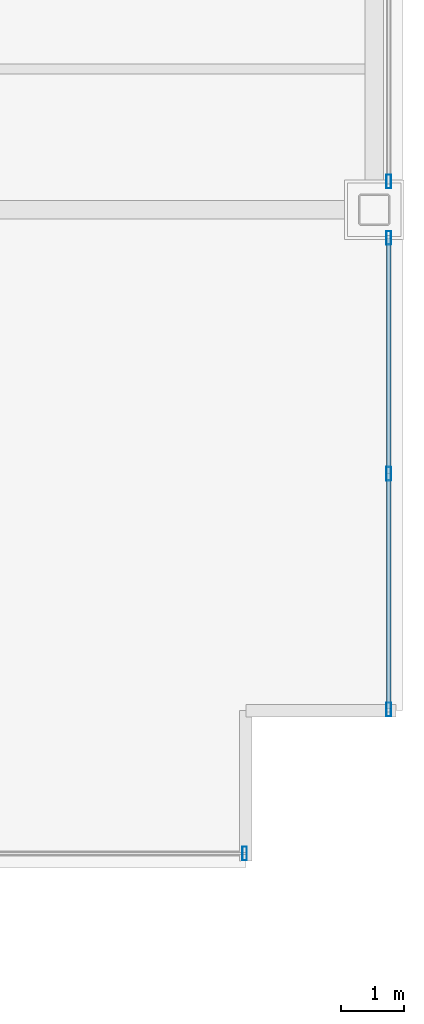
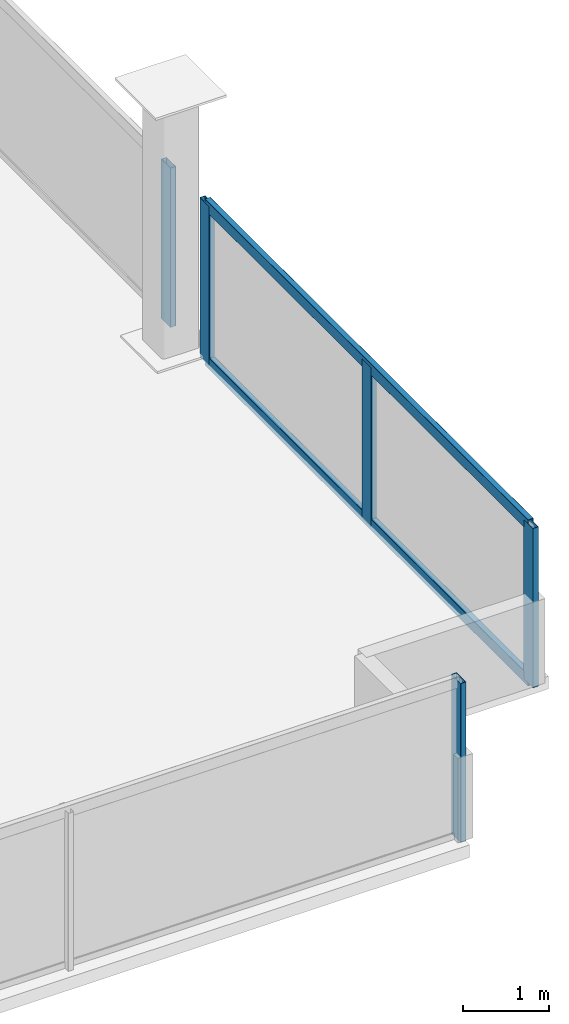
# One storey, part 11 of 21: 7 members, 3 elements without a shape of their own.
"""IFC4 building model written with IfcOpenShell, lengths in metres."""

from ifc_helpers import new_model, si_unit, direction, frame, origin, origin_2d, place, context, subcontext, project, spatial, hollow_rectangle, extrude, material, material_profile, profile_set, type_object, element, aggregate, save


model = new_model("IFC4")

# Units and contexts
model_context = context("Model", 3, precision=1e-05, world=origin(), true_north=direction((0.0, 1.0)))
body_context = subcontext(model_context, "Body", "Model", "MODEL_VIEW")
ifc_project = project(units=[si_unit("LENGTHUNIT", "METRE"), si_unit("AREAUNIT", "SQUARE_METRE"), si_unit("VOLUMEUNIT", "CUBIC_METRE"), si_unit("PLANEANGLEUNIT", "RADIAN"), si_unit("MASSUNIT", "GRAM", prefix="KILO")], contexts=[model_context])

# Site, building, storey
site_placement = place(None, origin())
site = spatial("IfcSite", under=ifc_project, at=site_placement, CompositionType="ELEMENT")
building_placement = place(site_placement, origin())
building = spatial("IfcBuilding", under=site, at=building_placement, Name="Noeulbin Bourse Tower", CompositionType="ELEMENT")
storey_placement = place(building_placement, frame((0.0, 0.0, 111.0)))
storey = spatial("IfcBuildingStorey", under=building, at=storey_placement, Name="L27", CompositionType="ELEMENT", Elevation=111.0)

# Curtain wall, member
ifc_material_1 = material(Name="Dark Tinted Triple Glazing", Category="glass")
curtain_wall_type = type_object("IfcCurtainWallType", Name="CW-SYS-3", PredefinedType="NOTDEFINED", material=ifc_material_1)
curtain_wall_1_placement = place(storey_placement, origin())
curtain_wall_1 = element("IfcCurtainWall", 1, at=curtain_wall_1_placement, inside=storey, type_object=curtain_wall_type, Name="Unitised Curtain Wall CW-L27-S3-S4", PredefinedType="NOTDEFINED")
ifc_material_2 = material(Name="Anodised Aluminium 6063-T6", Category="aluminium")
ifc_material_profile_1 = material_profile(ifc_material_2, hollow_rectangle(XDim=0.074951171875, YDim=0.219970703125, WallThickness=0.0048828125, InnerFilletRadius=0.00244140625, OuterFilletRadius=0.0048828125, at=origin_2d()), Name="ALU-MULL-75x220x5", Category="LoadBearing")
ifc_profile_set_1 = profile_set([ifc_material_profile_1], Name="Anodised Aluminium 6063-T6")
member_type_1 = type_object("IfcMemberType", Name="CW-SYS-3-MUL", PredefinedType="MULLION", material=ifc_profile_set_1)
member_1_placement = place(storey_placement, frame((54.97998046875, 9.719970703125, -0.02001953125), z_axis=(0.0, 0.0, 1.0), x_axis=(1.0, 0.0, 0.0)))
member_1 = element("IfcMember", 2, at=member_1_placement, type_object=member_type_1, Name="Curtain Wall Mullion CW-L27-S3-S4-M02", PredefinedType="MULLION", context=body_context, shape_type="SweptSolid", body=[
    extrude(hollow_rectangle(XDim=0.074951171875, YDim=0.219970703125, WallThickness=0.0048828125, InnerFilletRadius=0.00244140625, OuterFilletRadius=0.0048828125, at=origin_2d()), origin(), (0.0, 0.0, 1.0), 2.260009765625),
])
aggregate(curtain_wall_1, [member_1])

# Curtain wall, members
curtain_wall_2_placement = place(storey_placement, origin())
curtain_wall_2 = element("IfcCurtainWall", 3, at=curtain_wall_2_placement, inside=storey, type_object=curtain_wall_type, Name="Unitised Curtain Wall CW-L27-E-S1", PredefinedType="NOTDEFINED")
member_2_placement = place(storey_placement, frame((57.280029296875, 12.02001953125, -0.02001953125), z_axis=(0.0, 0.0, 1.0), x_axis=(1.0, 0.0, 0.0)))
member_2 = element("IfcMember", 4, at=member_2_placement, type_object=member_type_1, Name="Curtain Wall Mullion CW-L27-E-S1-M00", PredefinedType="MULLION", context=body_context, shape_type="SweptSolid", body=[
    extrude(hollow_rectangle(XDim=0.074951171875, YDim=0.219970703125, WallThickness=0.0048828125, InnerFilletRadius=0.00244140625, OuterFilletRadius=0.0048828125, at=origin_2d()), origin(), (0.0, 0.0, 1.0), 2.260009765625),
])
member_3_placement = place(storey_placement, frame((57.280029296875, 15.784912109375, -0.02001953125), z_axis=(0.0, 0.0, 1.0), x_axis=(1.0, 0.0, 0.0)))
member_3 = element("IfcMember", 5, at=member_3_placement, type_object=member_type_1, Name="Curtain Wall Mullion CW-L27-E-S1-M01", PredefinedType="MULLION", context=body_context, shape_type="SweptSolid", body=[
    extrude(hollow_rectangle(XDim=0.074951171875, YDim=0.219970703125, WallThickness=0.0048828125, InnerFilletRadius=0.00244140625, OuterFilletRadius=0.0048828125, at=origin_2d()), origin(), (0.0, 0.0, 1.0), 2.260009765625),
])
member_4_placement = place(storey_placement, frame((57.280029296875, 19.550048828125, -0.02001953125), z_axis=(0.0, 0.0, 1.0), x_axis=(1.0, 0.0, 0.0)))
member_4 = element("IfcMember", 6, at=member_4_placement, type_object=member_type_1, Name="Curtain Wall Mullion CW-L27-E-S1-M02", PredefinedType="MULLION", context=body_context, shape_type="SweptSolid", body=[
    extrude(hollow_rectangle(XDim=0.074951171875, YDim=0.219970703125, WallThickness=0.0048828125, InnerFilletRadius=0.00244140625, OuterFilletRadius=0.0048828125, at=origin_2d()), origin(), (0.0, 0.0, 1.0), 2.260009765625),
])

# Curtain wall, member
curtain_wall_3_placement = place(storey_placement, origin())
curtain_wall_3 = element("IfcCurtainWall", 7, at=curtain_wall_3_placement, inside=storey, type_object=curtain_wall_type, Name="Unitised Curtain Wall CW-L27-E-S2", PredefinedType="NOTDEFINED")
member_5_placement = place(storey_placement, frame((57.280029296875, 20.449951171875, -0.02001953125), z_axis=(0.0, 0.0, 1.0), x_axis=(1.0, 0.0, 0.0)))
member_5 = element("IfcMember", 8, at=member_5_placement, type_object=member_type_1, Name="Curtain Wall Mullion CW-L27-E-S2-M00", PredefinedType="MULLION", context=body_context, shape_type="SweptSolid", body=[
    extrude(hollow_rectangle(XDim=0.074951171875, YDim=0.219970703125, WallThickness=0.0048828125, InnerFilletRadius=0.00244140625, OuterFilletRadius=0.0048828125, at=origin_2d()), origin(), (0.0, 0.0, 1.0), 2.260009765625),
])
aggregate(curtain_wall_3, [member_5])

# Member
ifc_material_profile_2 = material_profile(ifc_material_2, hollow_rectangle(XDim=0.074951171875, YDim=0.159912109375, WallThickness=0.0048828125, InnerFilletRadius=0.00244140625, OuterFilletRadius=0.0048828125, at=origin_2d()), Name="ALU-TRAN-75x160x5", Category="LoadBearing")
ifc_profile_set_2 = profile_set([ifc_material_profile_2], Name="Anodised Aluminium 6063-T6")
member_type_2 = type_object("IfcMemberType", Name="CW-SYS-3-TRN", PredefinedType="USERDEFINED", material=ifc_profile_set_2)
member_6_placement = place(storey_placement, frame((57.280029296875, 12.030029296875, 0.010009765625), z_axis=(0.0, 1.0, 0.0), x_axis=(-1.0, 0.0, 0.0)))
member_6 = element("IfcMember", 9, at=member_6_placement, type_object=member_type_2, Name="Curtain Wall Transom CW-L27-E-S1-T00", ObjectType="TRANSOM", PredefinedType="USERDEFINED", context=body_context, shape_type="SweptSolid", body=[
    extrude(hollow_rectangle(XDim=0.074951171875, YDim=0.159912109375, WallThickness=0.0048828125, InnerFilletRadius=0.00244140625, OuterFilletRadius=0.0048828125, at=origin_2d()), origin(), (0.0, 0.0, 1.0), 7.510009765625),
])

member_7_placement = place(storey_placement, frame((57.280029296875, 12.030029296875, 2.2099609375), z_axis=(0.0, 1.0, 0.0), x_axis=(-1.0, 0.0, 0.0)))
member_7 = element("IfcMember", 10, at=member_7_placement, type_object=member_type_2, Name="Curtain Wall Transom CW-L27-E-S1-T01", ObjectType="TRANSOM", PredefinedType="USERDEFINED", context=body_context, shape_type="SweptSolid", body=[
    extrude(hollow_rectangle(XDim=0.074951171875, YDim=0.159912109375, WallThickness=0.0048828125, InnerFilletRadius=0.00244140625, OuterFilletRadius=0.0048828125, at=origin_2d()), origin(), (0.0, 0.0, 1.0), 7.510009765625),
])

aggregate(curtain_wall_2, [member_2, member_3, member_4, member_6, member_7])

save(model, "model.ifc")
